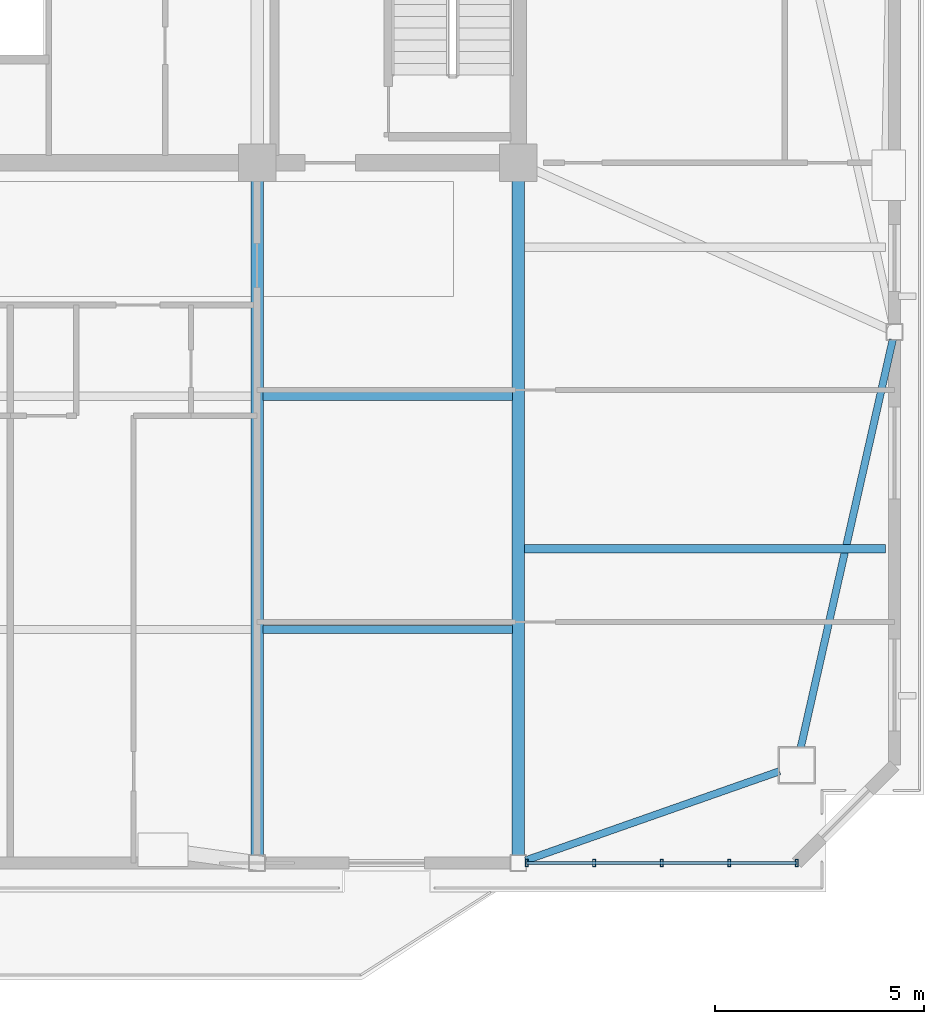
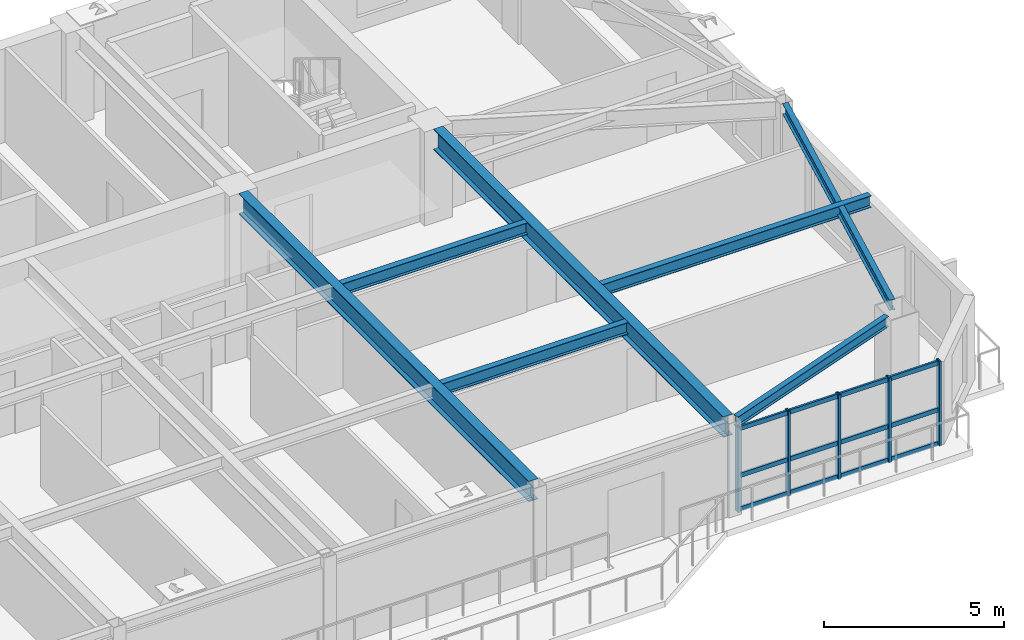
# One storey, part 4 of 14: 8 members, 7 beams, 1 element without a shape of its own.
"""IFC4 building model written with IfcOpenShell, lengths in metres."""

from ifc_helpers import new_model, si_unit, direction, frame, origin, origin_2d, place, context, subcontext, project, spatial, hollow_rectangle, i_section, extrude, source, transform, mapped, material, layer, layer_set, material_profile, profile_set, type_object, element, aggregate, save


model = new_model("IFC4")

# Units and contexts
model_context = context("Model", 3, precision=1e-05, world=origin(), true_north=direction((0.0, 1.0)))
body_context = subcontext(model_context, "Body", "Model", "MODEL_VIEW")
ifc_project = project(units=[si_unit("LENGTHUNIT", "METRE"), si_unit("AREAUNIT", "SQUARE_METRE"), si_unit("VOLUMEUNIT", "CUBIC_METRE"), si_unit("PLANEANGLEUNIT", "RADIAN"), si_unit("MASSUNIT", "GRAM", prefix="KILO")], contexts=[model_context])

# Site, building, storey
site_placement = place(None, origin())
site = spatial("IfcSite", under=ifc_project, at=site_placement, CompositionType="ELEMENT")
building_placement = place(site_placement, origin())
building = spatial("IfcBuilding", under=site, at=building_placement, Name="Giltprow Tower", CompositionType="ELEMENT")
storey_placement = place(building_placement, frame((0.0, 0.0, 314.199951171875)))
storey = spatial("IfcBuildingStorey", under=building, at=storey_placement, Name="L81", CompositionType="ELEMENT", Elevation=314.199951171875)

# Beams
ifc_material_1 = material(Name="Structural steel Q355B", Category="steel")
ifc_material_profile_1 = material_profile(ifc_material_1, i_section(OverallWidth=0.199951171875, OverallDepth=0.39990234375, WebThickness=0.008056640625, FlangeThickness=0.012939453125, at=origin_2d()), Name="HN 400x200x8x13")
ifc_profile_set_1 = profile_set([ifc_material_profile_1], Name="Structural steel Q355B")
beam_type_1 = type_object("IfcBeamType", Name="BM-JOIST-HN400", PredefinedType="JOIST", material=ifc_profile_set_1)
shared_shape_1 = source(origin(), body_context, "Body", "SweptSolid", [
    extrude(i_section(OverallWidth=0.199951171875, OverallDepth=0.39990234375, WebThickness=0.008056640625, FlangeThickness=0.012939453125, at=origin_2d()), origin(), (0.0, 0.0, 1.0), 5.9599609375),
])
for number, where, z_axis, x_axis, name in (
    (1, (44.445068359375, 26.285888671875, 2.985107421875), (1.0, 0.0, 0.0), (0.0, 1.0, 0.0), "L81 Composite Floor Joist 1-4"),
    (2, (44.445068359375, 31.867919921875, 2.985107421875), (1.0, 0.0, 0.0), (0.0, 1.0, 0.0), "L81 Composite Floor Joist 2-4"),
):
    element("IfcBeam", number, at=place(storey_placement, frame(where, z_axis=z_axis, x_axis=x_axis)), inside=storey, type_object=beam_type_1, Name=name, PredefinedType="JOIST", context=body_context, shape_type="MappedRepresentation", body=[
        mapped(shared_shape_1, transform((0.0, 0.0, 0.0), x_axis=(1.0, 0.0, 0.0), y_axis=(0.0, 1.0, 0.0), z_axis=(0.0, 0.0, 1.0), scale=1.0)),
    ])
ifc_material_profile_2 = material_profile(ifc_material_1, i_section(OverallWidth=0.175048828125, OverallDepth=0.35009765625, WebThickness=0.007080078125, FlangeThickness=0.010986328125, at=origin_2d()), Name="HN 350x175x7x11")
ifc_profile_set_2 = profile_set([ifc_material_profile_2], Name="Structural steel Q355B")
beam_type_2 = type_object("IfcBeamType", Name="BM-SPAN-HN350", PredefinedType="SPANDREL", material=ifc_profile_set_2)
shared_shape_2 = source(origin(), body_context, "Body", "SweptSolid", [
    extrude(i_section(OverallWidth=0.175048828125, OverallDepth=0.35009765625, WebThickness=0.007080078125, FlangeThickness=0.010986328125, at=origin_2d()), origin(), (0.0, 0.0, 1.0), 6.436767578125),
])
beam_1_placement = place(storey_placement, frame((50.72509765625, 20.764892578125, 3.010009765625), z_axis=(0.943494118262, 0.331389270804, 0.0), x_axis=(-0.331389270804, 0.943494118262, 0.0)))
element("IfcBeam", 3, at=beam_1_placement, inside=storey, type_object=beam_type_2, Name="L81 Perimeter Spandrel Beam S4-MC_SE", PredefinedType="SPANDREL", context=body_context, shape_type="MappedRepresentation", body=[
    mapped(shared_shape_2, transform((0.0, 0.0, 0.0), x_axis=(1.0, 0.0, 0.0), y_axis=(0.0, 1.0, 0.0), z_axis=(0.0, 0.0, 1.0), scale=1.0)),
])
shared_shape_3 = source(origin(), body_context, "Body", "SweptSolid", [
    extrude(i_section(OverallWidth=0.175048828125, OverallDepth=0.35009765625, WebThickness=0.007080078125, FlangeThickness=0.010986328125, at=origin_2d()), origin(), (0.0, 0.0, 1.0), 10.0009765625),
])
beam_2_placement = place(storey_placement, frame((57.303955078125, 23.466064453125, 3.010009765625), z_axis=(0.22006980481, 0.975484126478, 0.0), x_axis=(-0.975484126478, 0.22006980481, 0.0)))
element("IfcBeam", 4, at=beam_2_placement, inside=storey, type_object=beam_type_2, Name="L81 Perimeter Spandrel Beam MC_SE-E_MID", PredefinedType="SPANDREL", context=body_context, shape_type="MappedRepresentation", body=[
    mapped(shared_shape_3, transform((0.0, 0.0, 0.0), x_axis=(1.0, 0.0, 0.0), y_axis=(0.0, 1.0, 0.0), z_axis=(0.0, 0.0, 1.0), scale=1.0)),
])
ifc_material_profile_3 = material_profile(ifc_material_1, i_section(OverallWidth=0.300048828125, OverallDepth=0.699951171875, WebThickness=0.012939453125, FlangeThickness=0.02392578125, at=origin_2d()), Name="HN 700x300x13x24")
ifc_profile_set_3 = profile_set([ifc_material_profile_3], Name="Structural steel Q355B")
beam_type_3 = type_object("IfcBeamType", Name="BM-GIRD-HN700", PredefinedType="BEAM", material=ifc_profile_set_3)
shared_shape_4 = source(origin(), body_context, "Body", "SweptSolid", [
    extrude(i_section(OverallWidth=0.300048828125, OverallDepth=0.699951171875, WebThickness=0.012939453125, FlangeThickness=0.02392578125, at=origin_2d()), origin(), (0.0, 0.0, 1.0), 16.1259765625),
])
for number, where, z_axis, x_axis, name in (
    (5, (44.300048828125, 20.888916015625, 2.8349609375), (0.0, 1.0, 0.0), (-1.0, 0.0, 0.0), "L81 Primary Lease Girder S3"),
    (6, (50.550048828125, 20.888916015625, 2.8349609375), (0.0, 1.0, 0.0), (-1.0, 0.0, 0.0), "L81 Primary Lease Girder S4"),
):
    element("IfcBeam", number, at=place(storey_placement, frame(where, z_axis=z_axis, x_axis=x_axis)), inside=storey, type_object=beam_type_3, Name=name, PredefinedType="BEAM", context=body_context, shape_type="MappedRepresentation", body=[
        mapped(shared_shape_4, transform((0.0, 0.0, 0.0), x_axis=(1.0, 0.0, 0.0), y_axis=(0.0, 1.0, 0.0), z_axis=(0.0, 0.0, 1.0), scale=1.0)),
    ])
shared_shape_5 = source(origin(), body_context, "Body", "SweptSolid", [
    extrude(i_section(OverallWidth=0.199951171875, OverallDepth=0.39990234375, WebThickness=0.008056640625, FlangeThickness=0.012939453125, at=origin_2d()), origin(), (0.0, 0.0, 1.0), 8.630859375),
])
beam_3_placement = place(storey_placement, frame((50.695068359375, 28.221923828125, 2.985107421875), z_axis=(1.0, 0.0, 0.0), x_axis=(0.0, 1.0, 0.0)))
element("IfcBeam", 7, at=beam_3_placement, inside=storey, type_object=beam_type_1, Name="L81 East Wing Floor Joist 1", PredefinedType="JOIST", context=body_context, shape_type="MappedRepresentation", body=[
    mapped(shared_shape_5, transform((0.0, 0.0, 0.0), x_axis=(1.0, 0.0, 0.0), y_axis=(0.0, 1.0, 0.0), z_axis=(0.0, 0.0, 1.0), scale=1.0)),
])

# Curtain wall, members
ifc_material_2 = material(Name="Anodized bronze", Category="metal")
ifc_layer = layer(ifc_material_2, 0.179931640625, Name="Anodized bronze")
ifc_layer_set = layer_set([ifc_layer], Name="Anodized bronze")
curtain_wall_type = type_object("IfcCurtainWallType", Name="CW-RES-SKY", PredefinedType="NOTDEFINED", material=ifc_layer_set)
curtain_wall_placement = place(storey_placement, origin())
curtain_wall = element("IfcCurtainWall", 8, at=curtain_wall_placement, inside=storey, type_object=curtain_wall_type, Name="L81 South Recessed Curtain Wall 6", PredefinedType="NOTDEFINED")
ifc_material_profile_4 = material_profile(ifc_material_2, hollow_rectangle(XDim=0.074951171875, YDim=0.179931640625, WallThickness=0.008056640625, at=origin_2d()), Name="RHS 180x75x8")
ifc_profile_set_4 = profile_set([ifc_material_profile_4], Name="Anodized bronze")
member_type_1 = type_object("IfcMemberType", Name="CW-MULLION-180x75", PredefinedType="MULLION", material=ifc_profile_set_4)
shared_shape_6 = source(origin(), body_context, "Body", "SweptSolid", [
    extrude(hollow_rectangle(XDim=0.074951171875, YDim=0.179931640625, WallThickness=0.008056640625, at=origin_2d()), origin(), (0.0, 0.0, 1.0), 2.8701171875),
])
member_1_placement = place(storey_placement, frame((50.75, 20.7041015625, -0.02001953125), z_axis=(0.0, 0.0, 1.0), x_axis=(1.0, 0.0, 0.0)))
member_1 = element("IfcMember", 9, at=member_1_placement, type_object=member_type_1, Name="L81 South Recessed Curtain Wall 6 Mullion 1", PredefinedType="MULLION", context=body_context, shape_type="MappedRepresentation", body=[
    mapped(shared_shape_6, transform((0.0, 0.0, 0.0), x_axis=(1.0, 0.0, 0.0), y_axis=(0.0, 1.0, 0.0), z_axis=(0.0, 0.0, 1.0), scale=1.0)),
])
member_2_placement = place(storey_placement, frame((52.364013671875, 20.7041015625, -0.02001953125), z_axis=(0.0, 0.0, 1.0), x_axis=(1.0, 0.0, 0.0)))
member_2 = element("IfcMember", 10, at=member_2_placement, type_object=member_type_1, Name="L81 South Recessed Curtain Wall 6 Mullion 2", PredefinedType="MULLION", context=body_context, shape_type="MappedRepresentation", body=[
    mapped(shared_shape_6, transform((0.0, 0.0, 0.0), x_axis=(1.0, 0.0, 0.0), y_axis=(0.0, 1.0, 0.0), z_axis=(0.0, 0.0, 1.0), scale=1.0)),
])
member_3_placement = place(storey_placement, frame((53.97900390625, 20.7041015625, -0.02001953125), z_axis=(0.0, 0.0, 1.0), x_axis=(1.0, 0.0, 0.0)))
member_3 = element("IfcMember", 11, at=member_3_placement, type_object=member_type_1, Name="L81 South Recessed Curtain Wall 6 Mullion 3", PredefinedType="MULLION", context=body_context, shape_type="MappedRepresentation", body=[
    mapped(shared_shape_6, transform((0.0, 0.0, 0.0), x_axis=(1.0, 0.0, 0.0), y_axis=(0.0, 1.0, 0.0), z_axis=(0.0, 0.0, 1.0), scale=1.0)),
])
member_4_placement = place(storey_placement, frame((55.593017578125, 20.7041015625, -0.02001953125), z_axis=(0.0, 0.0, 1.0), x_axis=(1.0, 0.0, 0.0)))
member_4 = element("IfcMember", 12, at=member_4_placement, type_object=member_type_1, Name="L81 South Recessed Curtain Wall 6 Mullion 4", PredefinedType="MULLION", context=body_context, shape_type="MappedRepresentation", body=[
    mapped(shared_shape_6, transform((0.0, 0.0, 0.0), x_axis=(1.0, 0.0, 0.0), y_axis=(0.0, 1.0, 0.0), z_axis=(0.0, 0.0, 1.0), scale=1.0)),
])
member_5_placement = place(storey_placement, frame((57.2080078125, 20.7041015625, -0.02001953125), z_axis=(0.0, 0.0, 1.0), x_axis=(1.0, 0.0, 0.0)))
member_5 = element("IfcMember", 13, at=member_5_placement, type_object=member_type_1, Name="L81 South Recessed Curtain Wall 6 Mullion 5", PredefinedType="MULLION", context=body_context, shape_type="MappedRepresentation", body=[
    mapped(shared_shape_6, transform((0.0, 0.0, 0.0), x_axis=(1.0, 0.0, 0.0), y_axis=(0.0, 1.0, 0.0), z_axis=(0.0, 0.0, 1.0), scale=1.0)),
])
ifc_material_profile_5 = material_profile(ifc_material_2, hollow_rectangle(XDim=0.06494140625, YDim=0.14990234375, WallThickness=0.006103515625, at=origin_2d()), Name="RHS 150x65x6")
ifc_profile_set_5 = profile_set([ifc_material_profile_5], Name="Anodized bronze")
member_type_2 = type_object("IfcMemberType", Name="CW-TRANSOM-150x65", PredefinedType="USERDEFINED", material=ifc_profile_set_5)
shared_shape_7 = source(origin(), body_context, "Body", "SweptSolid", [
    extrude(hollow_rectangle(XDim=0.06494140625, YDim=0.14990234375, WallThickness=0.006103515625, at=origin_2d()), origin(), (0.0, 0.0, 1.0), 6.4580078125),
])
member_6_placement = place(storey_placement, frame((50.75, 20.7041015625, 0.0400390625), z_axis=(1.0, 0.0, 0.0), x_axis=(0.0, 1.0, 0.0)))
member_6 = element("IfcMember", 14, at=member_6_placement, type_object=member_type_2, Name="L81 South Recessed Curtain Wall 6 Transom 1", ObjectType="TRANSOM", PredefinedType="USERDEFINED", context=body_context, shape_type="MappedRepresentation", body=[
    mapped(shared_shape_7, transform((0.0, 0.0, 0.0), x_axis=(1.0, 0.0, 0.0), y_axis=(0.0, 1.0, 0.0), z_axis=(0.0, 0.0, 1.0), scale=1.0)),
])
member_7_placement = place(storey_placement, frame((50.75, 20.7041015625, 1.18212890625), z_axis=(1.0, 0.0, 0.0), x_axis=(0.0, 1.0, 0.0)))
member_7 = element("IfcMember", 15, at=member_7_placement, type_object=member_type_2, Name="L81 South Recessed Curtain Wall 6 Transom 2", ObjectType="TRANSOM", PredefinedType="USERDEFINED", context=body_context, shape_type="MappedRepresentation", body=[
    mapped(shared_shape_7, transform((0.0, 0.0, 0.0), x_axis=(1.0, 0.0, 0.0), y_axis=(0.0, 1.0, 0.0), z_axis=(0.0, 0.0, 1.0), scale=1.0)),
])
member_8_placement = place(storey_placement, frame((50.75, 20.7041015625, 2.775146484375), z_axis=(1.0, 0.0, 0.0), x_axis=(0.0, 1.0, 0.0)))
member_8 = element("IfcMember", 16, at=member_8_placement, type_object=member_type_2, Name="L81 South Recessed Curtain Wall 6 Transom 3", ObjectType="TRANSOM", PredefinedType="USERDEFINED", context=body_context, shape_type="MappedRepresentation", body=[
    mapped(shared_shape_7, transform((0.0, 0.0, 0.0), x_axis=(1.0, 0.0, 0.0), y_axis=(0.0, 1.0, 0.0), z_axis=(0.0, 0.0, 1.0), scale=1.0)),
])
aggregate(curtain_wall, [member_1, member_2, member_3, member_4, member_5, member_6, member_7, member_8])

save(model, "model.ifc")
